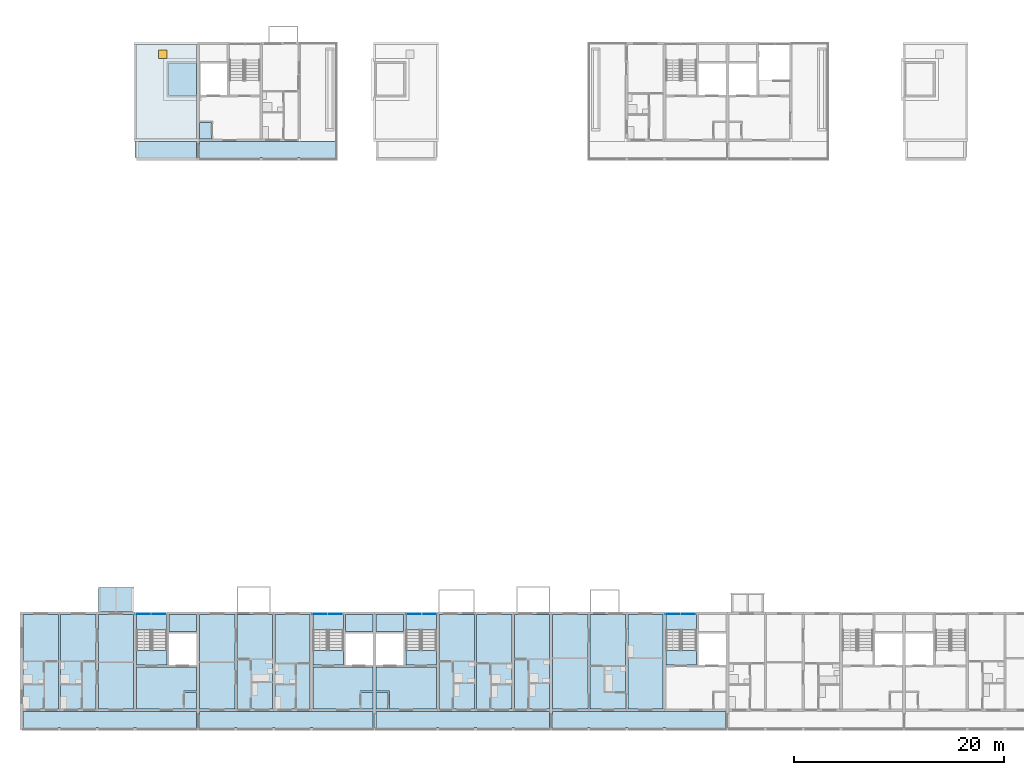
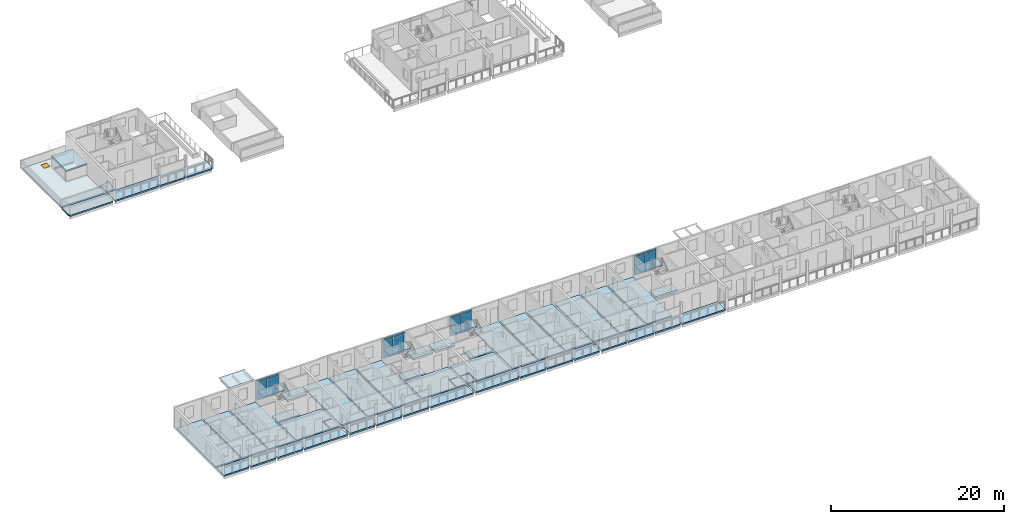
# One storey, part 30 of 87: 39 slabs, 16 plates, 1 door, 1 opening, 8 elements without a shape of their own.
"""IFC4 building model written with IfcOpenShell, lengths in metres."""

from ifc_helpers import new_model, si_unit, direction, frame, origin, origin_2d, place, context, subcontext, project, spatial, polyline, rectangle, outline, extrude, material, layer, layer_set, type_object, element, fill, aggregate, save


model = new_model("IFC4")

# Units and contexts
model_context = context("Model", 3, precision=1e-05, world=origin(), true_north=direction((0.0, 1.0)))
body_context = subcontext(model_context, "Body", "Model", "MODEL_VIEW")
ifc_project = project(units=[si_unit("LENGTHUNIT", "METRE"), si_unit("AREAUNIT", "SQUARE_METRE"), si_unit("VOLUMEUNIT", "CUBIC_METRE"), si_unit("PLANEANGLEUNIT", "RADIAN"), si_unit("MASSUNIT", "GRAM", prefix="KILO")], contexts=[model_context])

# Site, building, storey
site_placement = place(None, origin())
site = spatial("IfcSite", under=ifc_project, at=site_placement, CompositionType="ELEMENT")
building_placement = place(site_placement, origin())
building = spatial("IfcBuilding", under=site, at=building_placement, Name="Ridgestep Commons", CompositionType="ELEMENT")
storey_placement = place(building_placement, frame((0.0, 0.0, 27.0)))
storey = spatial("IfcBuildingStorey", under=building, at=storey_placement, Name="L09", CompositionType="ELEMENT", Elevation=27.0)

# Slabs
ifc_material_1 = material(Name="Precast concrete C40/50", Category="concrete")
ifc_layer_1 = layer(ifc_material_1, 0.199951171875)
ifc_layer_set_1 = layer_set([ifc_layer_1], Name="Gallery roof slab 200")
slab_type_1 = type_object("IfcSlabType", Name="Gallery roof slab 200", PredefinedType="ROOF", material=ifc_layer_set_1)
slab_1_placement = place(storey_placement, frame((0.0, 0.0, -0.199951171875)))
element("IfcSlab", 1, at=slab_1_placement, inside=storey, type_object=slab_type_1, Name="Gallery slab B1 L09", PredefinedType="ROOF", context=body_context, shape_type="SweptSolid", body=[
    extrude(outline(polyline([(22.800048828125, 67.800048828125), (22.800048828125, 66.25), (22.925048828125, 66.25), (22.925048828125, 66.0), (28.64990234375, 66.0), (28.64990234375, 67.800048828125), (22.800048828125, 67.800048828125)])), origin(), (0.0, 0.0, 1.0), 0.199951171875),
])
ifc_material_2 = material(Name="Precast concrete C40/50", Category="concrete")
ifc_layer_2 = layer(ifc_material_2, 0.199951171875)
ifc_layer_set_2 = layer_set([ifc_layer_2], Name="Gallery slab 200")
slab_type_2 = type_object("IfcSlabType", Name="Gallery slab 200", PredefinedType="FLOOR", material=ifc_layer_set_2)
slab_2_placement = place(storey_placement, frame((0.0, 0.0, -0.199951171875)))
element("IfcSlab", 2, at=slab_2_placement, inside=storey, type_object=slab_type_2, Name="Gallery slab A1 L09", PredefinedType="FLOOR", context=body_context, shape_type="SweptSolid", body=[
    extrude(outline(polyline([(28.64990234375, 13.550048828125), (12.14990234375, 13.550048828125), (12.14990234375, 11.75), (15.47509765625, 11.75), (15.47509765625, 12.0), (15.72509765625, 12.0), (15.72509765625, 11.75), (19.074951171875, 11.75), (19.074951171875, 12.0), (19.324951171875, 12.0), (19.324951171875, 11.75), (22.675048828125, 11.75), (22.675048828125, 12.0), (22.925048828125, 12.0), (22.925048828125, 11.75), (28.64990234375, 11.75), (28.64990234375, 13.550048828125)])), origin(), (0.0, 0.0, 1.0), 0.199951171875),
])
slab_3_placement = place(storey_placement, frame((0.0, 0.0, -0.199951171875)))
element("IfcSlab", 3, at=slab_3_placement, inside=storey, type_object=slab_type_2, Name="Gallery slab A2 L09", PredefinedType="FLOOR", context=body_context, shape_type="SweptSolid", body=[
    extrude(outline(polyline([(45.449951171875, 13.550048828125), (28.949951171875, 13.550048828125), (28.949951171875, 11.75), (32.27490234375, 11.75), (32.27490234375, 12.0), (32.52490234375, 12.0), (32.52490234375, 11.75), (35.875, 11.75), (35.875, 12.0), (36.125, 12.0), (36.125, 11.75), (39.47509765625, 11.75), (39.47509765625, 12.0), (39.72509765625, 12.0), (39.72509765625, 11.75), (45.449951171875, 11.75), (45.449951171875, 13.550048828125)])), origin(), (0.0, 0.0, 1.0), 0.199951171875),
])
slab_4_placement = place(storey_placement, frame((0.0, 0.0, -0.199951171875)))
element("IfcSlab", 4, at=slab_4_placement, inside=storey, type_object=slab_type_2, Name="Gallery slab A3 L09", PredefinedType="FLOOR", context=body_context, shape_type="SweptSolid", body=[
    extrude(outline(polyline([(62.25, 13.550048828125), (45.75, 13.550048828125), (45.75, 11.75), (51.47509765625, 11.75), (51.47509765625, 12.0), (51.72509765625, 12.0), (51.72509765625, 11.75), (55.074951171875, 11.75), (55.074951171875, 12.0), (55.324951171875, 12.0), (55.324951171875, 11.75), (58.675048828125, 11.75), (58.675048828125, 12.0), (58.925048828125, 12.0), (58.925048828125, 11.75), (62.25, 11.75), (62.25, 13.550048828125)])), origin(), (0.0, 0.0, 1.0), 0.199951171875),
])
slab_5_placement = place(storey_placement, frame((0.0, 0.0, -0.199951171875)))
element("IfcSlab", 5, at=slab_5_placement, inside=storey, type_object=slab_type_2, Name="Gallery slab A4 L09", PredefinedType="FLOOR", context=body_context, shape_type="SweptSolid", body=[
    extrude(outline(polyline([(79.050048828125, 13.550048828125), (62.550048828125, 13.550048828125), (62.550048828125, 11.75), (65.875, 11.75), (65.875, 12.0), (66.125, 12.0), (66.125, 11.75), (69.47509765625, 11.75), (69.47509765625, 12.0), (69.72509765625, 12.0), (69.72509765625, 11.75), (73.074951171875, 11.75), (73.074951171875, 12.0), (73.324951171875, 12.0), (73.324951171875, 11.75), (79.050048828125, 11.75), (79.050048828125, 13.550048828125)])), origin(), (0.0, 0.0, 1.0), 0.199951171875),
])
slab_6_placement = place(storey_placement, frame((0.0, 0.0, -0.199951171875)))
element("IfcSlab", 6, at=slab_6_placement, inside=storey, type_object=slab_type_2, Name="Gallery slab B2 L09", PredefinedType="FLOOR", context=body_context, shape_type="SweptSolid", body=[
    extrude(outline(polyline([(42.0, 67.800048828125), (28.949951171875, 67.800048828125), (28.949951171875, 66.0), (34.675048828125, 66.0), (34.675048828125, 66.25), (34.925048828125, 66.25), (34.925048828125, 66.0), (38.27490234375, 66.0), (38.27490234375, 66.25), (38.52490234375, 66.25), (38.52490234375, 66.0), (41.875, 66.0), (41.875, 66.25), (42.0, 66.25), (42.0, 67.800048828125)])), origin(), (0.0, 0.0, 1.0), 0.199951171875),
])

# Curtain wall, plates
ifc_material_3 = material(Name="Aluminium 6063-T6 and glass", Category="aluminium")
curtain_wall_type = type_object("IfcCurtainWallType", Name="Curtain wall stair strip", PredefinedType="NOTDEFINED", material=ifc_material_3)
curtain_wall_1_placement = place(storey_placement, origin())
curtain_wall_1 = element("IfcCurtainWall", 7, at=curtain_wall_1_placement, inside=storey, type_object=curtain_wall_type, Name="Curtain wall A1C level 09", PredefinedType="NOTDEFINED")
ifc_material_4 = material(Name="Glass laminated 6/16/6 low-emissivity", Category="glass")
ifc_layer_3 = layer(ifc_material_4, 0.028076171875)
ifc_layer_set_3 = layer_set([ifc_layer_3], Name="Glazing panel 28")
plate_type_1 = type_object("IfcPlateType", Name="Glazing panel 28", PredefinedType="CURTAIN_PANEL", material=ifc_layer_set_3)
plate_1_placement = place(storey_placement, frame((23.5712890625, 22.830078125, 0.06005859375), z_axis=(0.0, 0.0, 1.0), x_axis=(1.0, 0.0, 0.0)))
plate_1 = element("IfcPlate", 8, at=plate_1_placement, type_object=plate_type_1, Name="CW1 panel 1.1", PredefinedType="CURTAIN_PANEL", context=body_context, shape_type="SweptSolid", body=[
    extrude(rectangle(XDim=1.422607421875, YDim=0.028076171875, at=origin_2d()), origin(), (0.0, 0.0, 1.0), 2.5),
])
plate_2_placement = place(storey_placement, frame((25.0537109375, 22.830078125, 0.06005859375), z_axis=(0.0, 0.0, 1.0), x_axis=(1.0, 0.0, 0.0)))
plate_2 = element("IfcPlate", 9, at=plate_2_placement, type_object=plate_type_1, Name="CW1 panel 2.1", PredefinedType="CURTAIN_PANEL", context=body_context, shape_type="SweptSolid", body=[
    extrude(rectangle(XDim=1.422607421875, YDim=0.028076171875, at=origin_2d()), origin(), (0.0, 0.0, 1.0), 2.5),
])

curtain_wall_2_placement = place(storey_placement, origin())
curtain_wall_2 = element("IfcCurtainWall", 10, at=curtain_wall_2_placement, inside=storey, type_object=curtain_wall_type, Name="Curtain wall A2C level 09", PredefinedType="NOTDEFINED")
plate_3_placement = place(storey_placement, frame((40.371337890625, 22.830078125, 0.06005859375), z_axis=(0.0, 0.0, 1.0), x_axis=(1.0, 0.0, 0.0)))
plate_3 = element("IfcPlate", 11, at=plate_3_placement, type_object=plate_type_1, Name="CW1 panel 1.1", PredefinedType="CURTAIN_PANEL", context=body_context, shape_type="SweptSolid", body=[
    extrude(rectangle(XDim=1.422607421875, YDim=0.028076171875, at=origin_2d()), origin(), (0.0, 0.0, 1.0), 2.5),
])
plate_4_placement = place(storey_placement, frame((41.853759765625, 22.830078125, 0.06005859375), z_axis=(0.0, 0.0, 1.0), x_axis=(1.0, 0.0, 0.0)))
plate_4 = element("IfcPlate", 12, at=plate_4_placement, type_object=plate_type_1, Name="CW1 panel 2.1", PredefinedType="CURTAIN_PANEL", context=body_context, shape_type="SweptSolid", body=[
    extrude(rectangle(XDim=1.422607421875, YDim=0.028076171875, at=origin_2d()), origin(), (0.0, 0.0, 1.0), 2.5),
])

curtain_wall_3_placement = place(storey_placement, origin())
curtain_wall_3 = element("IfcCurtainWall", 13, at=curtain_wall_3_placement, inside=storey, type_object=curtain_wall_type, Name="Curtain wall A3C level 09", PredefinedType="NOTDEFINED")
plate_5_placement = place(storey_placement, frame((49.34619140625, 22.830078125, 0.06005859375), z_axis=(0.0, 0.0, 1.0), x_axis=(1.0, 0.0, 0.0)))
plate_5 = element("IfcPlate", 14, at=plate_5_placement, type_object=plate_type_1, Name="CW1 panel 1.1", PredefinedType="CURTAIN_PANEL", context=body_context, shape_type="SweptSolid", body=[
    extrude(rectangle(XDim=1.422607421875, YDim=0.028076171875, at=origin_2d()), origin(), (0.0, 0.0, 1.0), 2.5),
])
plate_6_placement = place(storey_placement, frame((50.828857421875, 22.830078125, 0.06005859375), z_axis=(0.0, 0.0, 1.0), x_axis=(1.0, 0.0, 0.0)))
plate_6 = element("IfcPlate", 15, at=plate_6_placement, type_object=plate_type_1, Name="CW1 panel 2.1", PredefinedType="CURTAIN_PANEL", context=body_context, shape_type="SweptSolid", body=[
    extrude(rectangle(XDim=1.422607421875, YDim=0.028076171875, at=origin_2d()), origin(), (0.0, 0.0, 1.0), 2.5),
])

curtain_wall_4_placement = place(storey_placement, origin())
curtain_wall_4 = element("IfcCurtainWall", 16, at=curtain_wall_4_placement, inside=storey, type_object=curtain_wall_type, Name="Curtain wall A4C level 09", PredefinedType="NOTDEFINED")
plate_7_placement = place(storey_placement, frame((73.97119140625, 22.830078125, 0.06005859375), z_axis=(0.0, 0.0, 1.0), x_axis=(1.0, 0.0, 0.0)))
plate_7 = element("IfcPlate", 17, at=plate_7_placement, type_object=plate_type_1, Name="CW1 panel 1.1", PredefinedType="CURTAIN_PANEL", context=body_context, shape_type="SweptSolid", body=[
    extrude(rectangle(XDim=1.422607421875, YDim=0.028076171875, at=origin_2d()), origin(), (0.0, 0.0, 1.0), 2.5),
])
plate_8_placement = place(storey_placement, frame((75.453857421875, 22.830078125, 0.06005859375), z_axis=(0.0, 0.0, 1.0), x_axis=(1.0, 0.0, 0.0)))
plate_8 = element("IfcPlate", 18, at=plate_8_placement, type_object=plate_type_1, Name="CW1 panel 2.1", PredefinedType="CURTAIN_PANEL", context=body_context, shape_type="SweptSolid", body=[
    extrude(rectangle(XDim=1.422607421875, YDim=0.028076171875, at=origin_2d()), origin(), (0.0, 0.0, 1.0), 2.5),
])

# Slabs
ifc_material_5 = material(Name="Precast concrete C50/60", Category="concrete")
ifc_layer_4 = layer(ifc_material_5, 0.199951171875)
ifc_layer_set_4 = layer_set([ifc_layer_4], Name="Hollow-core plank 200")
slab_type_3 = type_object("IfcSlabType", Name="Hollow-core plank 200", PredefinedType="FLOOR", material=ifc_layer_set_4)
slab_7_placement = place(storey_placement, frame((0.0, 0.0, -0.199951171875)))
element("IfcSlab", 19, at=slab_7_placement, inside=storey, type_object=slab_type_3, Name="Floor plank A1T1 L09", PredefinedType="FLOOR", context=body_context, shape_type="SweptSolid", body=[
    extrude(outline(polyline([(15.5, 13.75), (15.5, 22.75), (12.14990234375, 22.75), (12.14990234375, 13.75), (15.5, 13.75)])), origin(), (0.0, 0.0, 1.0), 0.199951171875),
])
slab_8_placement = place(storey_placement, frame((0.0, 0.0, -0.199951171875)))
element("IfcSlab", 20, at=slab_8_placement, inside=storey, type_object=slab_type_3, Name="Floor plank A1T2 L09", PredefinedType="FLOOR", context=body_context, shape_type="SweptSolid", body=[
    extrude(outline(polyline([(19.10009765625, 13.75), (19.10009765625, 22.75), (15.699951171875, 22.75), (15.699951171875, 13.75), (19.10009765625, 13.75)])), origin(), (0.0, 0.0, 1.0), 0.199951171875),
])
slab_9_placement = place(storey_placement, frame((0.0, 0.0, -0.199951171875)))
element("IfcSlab", 21, at=slab_9_placement, inside=storey, type_object=slab_type_3, Name="Floor plank A1T3 L09", PredefinedType="FLOOR", context=body_context, shape_type="SweptSolid", body=[
    extrude(outline(polyline([(22.675048828125, 13.75), (22.675048828125, 22.75), (19.300048828125, 22.75), (19.300048828125, 13.75), (22.675048828125, 13.75)])), origin(), (0.0, 0.0, 1.0), 0.199951171875),
])
slab_10_placement = place(storey_placement, frame((0.0, 0.0, -0.199951171875)))
element("IfcSlab", 22, at=slab_10_placement, inside=storey, type_object=slab_type_3, Name="Floor plank A2T1 L09", PredefinedType="FLOOR", context=body_context, shape_type="SweptSolid", body=[
    extrude(outline(polyline([(32.300048828125, 13.75), (32.300048828125, 22.75), (28.949951171875, 22.75), (28.949951171875, 13.75), (32.300048828125, 13.75)])), origin(), (0.0, 0.0, 1.0), 0.199951171875),
])
slab_11_placement = place(storey_placement, frame((0.0, 0.0, -0.199951171875)))
element("IfcSlab", 23, at=slab_11_placement, inside=storey, type_object=slab_type_3, Name="Floor plank A2T2 L09", PredefinedType="FLOOR", context=body_context, shape_type="SweptSolid", body=[
    extrude(outline(polyline([(35.89990234375, 13.75), (35.89990234375, 22.75), (32.5, 22.75), (32.5, 13.75), (35.89990234375, 13.75)])), origin(), (0.0, 0.0, 1.0), 0.199951171875),
])
slab_12_placement = place(storey_placement, frame((0.0, 0.0, -0.199951171875)))
element("IfcSlab", 24, at=slab_12_placement, inside=storey, type_object=slab_type_3, Name="Floor plank A2T3 L09", PredefinedType="FLOOR", context=body_context, shape_type="SweptSolid", body=[
    extrude(outline(polyline([(39.47509765625, 13.75), (39.47509765625, 22.75), (36.10009765625, 22.75), (36.10009765625, 13.75), (39.47509765625, 13.75)])), origin(), (0.0, 0.0, 1.0), 0.199951171875),
])
slab_13_placement = place(storey_placement, frame((0.0, 0.0, -0.199951171875)))
element("IfcSlab", 25, at=slab_13_placement, inside=storey, type_object=slab_type_3, Name="Floor plank A3T3 L09", PredefinedType="FLOOR", context=body_context, shape_type="SweptSolid", body=[
    extrude(outline(polyline([(55.10009765625, 13.75), (55.10009765625, 22.75), (51.72509765625, 22.75), (51.72509765625, 13.75), (55.10009765625, 13.75)])), origin(), (0.0, 0.0, 1.0), 0.199951171875),
])
slab_14_placement = place(storey_placement, frame((0.0, 0.0, -0.199951171875)))
element("IfcSlab", 26, at=slab_14_placement, inside=storey, type_object=slab_type_3, Name="Floor plank A3T2 L09", PredefinedType="FLOOR", context=body_context, shape_type="SweptSolid", body=[
    extrude(outline(polyline([(58.699951171875, 13.75), (58.699951171875, 22.75), (55.300048828125, 22.75), (55.300048828125, 13.75), (58.699951171875, 13.75)])), origin(), (0.0, 0.0, 1.0), 0.199951171875),
])
slab_15_placement = place(storey_placement, frame((0.0, 0.0, -0.199951171875)))
element("IfcSlab", 27, at=slab_15_placement, inside=storey, type_object=slab_type_3, Name="Floor plank A3T1 L09", PredefinedType="FLOOR", context=body_context, shape_type="SweptSolid", body=[
    extrude(outline(polyline([(62.25, 13.75), (62.25, 22.75), (58.89990234375, 22.75), (58.89990234375, 13.75), (62.25, 13.75)])), origin(), (0.0, 0.0, 1.0), 0.199951171875),
])
slab_16_placement = place(storey_placement, frame((0.0, 0.0, -0.199951171875)))
element("IfcSlab", 28, at=slab_16_placement, inside=storey, type_object=slab_type_3, Name="Floor plank A4T1 L09", PredefinedType="FLOOR", context=body_context, shape_type="SweptSolid", body=[
    extrude(outline(polyline([(65.89990234375, 13.75), (65.89990234375, 22.75), (62.550048828125, 22.75), (62.550048828125, 13.75), (65.89990234375, 13.75)])), origin(), (0.0, 0.0, 1.0), 0.199951171875),
])
slab_17_placement = place(storey_placement, frame((0.0, 0.0, -0.199951171875)))
element("IfcSlab", 29, at=slab_17_placement, inside=storey, type_object=slab_type_3, Name="Floor plank A4T2 L09", PredefinedType="FLOOR", context=body_context, shape_type="SweptSolid", body=[
    extrude(outline(polyline([(69.5, 13.75), (69.5, 22.75), (66.10009765625, 22.75), (66.10009765625, 13.75), (69.5, 13.75)])), origin(), (0.0, 0.0, 1.0), 0.199951171875),
])
slab_18_placement = place(storey_placement, frame((0.0, 0.0, -0.199951171875)))
element("IfcSlab", 30, at=slab_18_placement, inside=storey, type_object=slab_type_3, Name="Floor plank A4T3 L09", PredefinedType="FLOOR", context=body_context, shape_type="SweptSolid", body=[
    extrude(outline(polyline([(73.074951171875, 13.75), (73.074951171875, 22.75), (69.699951171875, 22.75), (69.699951171875, 13.75), (73.074951171875, 13.75)])), origin(), (0.0, 0.0, 1.0), 0.199951171875),
])
ifc_material_6 = material(Name="Precast concrete C50/60", Category="concrete")
ifc_layer_5 = layer(ifc_material_6, 0.25)
ifc_layer_set_5 = layer_set([ifc_layer_5], Name="Hollow-core plank 250")
slab_type_4 = type_object("IfcSlabType", Name="Hollow-core plank 250", PredefinedType="FLOOR", material=ifc_layer_set_5)
slab_19_placement = place(storey_placement, frame((0.0, 0.0, -0.25)))
element("IfcSlab", 31, at=slab_19_placement, inside=storey, type_object=slab_type_4, Name="Floor plank A1C L09", PredefinedType="FLOOR", context=body_context, shape_type="SweptSolid", body=[
    extrude(outline(polyline([(27.52001953125, 15.469970703125), (28.64990234375, 15.469970703125), (28.64990234375, 17.75), (22.925048828125, 17.75), (22.925048828125, 13.75), (27.39990234375, 13.75), (27.39990234375, 15.469970703125), (27.52001953125, 15.469970703125)])), origin(), (0.0, 0.0, 1.0), 0.25),
])
slab_20_placement = place(storey_placement, frame((0.0, 0.0, -0.25)))
element("IfcSlab", 32, at=slab_20_placement, inside=storey, type_object=slab_type_4, Name="Floor plank A1C L09", PredefinedType="FLOOR", context=body_context, shape_type="SweptSolid", body=[
    extrude(outline(polyline([(28.64990234375, 21.14990234375), (28.64990234375, 22.75), (26.02490234375, 22.75), (26.02490234375, 21.14990234375), (28.64990234375, 21.14990234375)])), origin(), (0.0, 0.0, 1.0), 0.25),
])
slab_21_placement = place(storey_placement, frame((0.0, 0.0, -0.25)))
element("IfcSlab", 33, at=slab_21_placement, inside=storey, type_object=slab_type_4, Name="Floor plank A1C L09", PredefinedType="FLOOR", context=body_context, shape_type="SweptSolid", body=[
    extrude(outline(polyline([(25.824951171875, 17.949951171875), (25.824951171875, 19.35009765625), (22.925048828125, 19.35009765625), (22.925048828125, 17.949951171875), (25.824951171875, 17.949951171875)])), origin(), (0.0, 0.0, 1.0), 0.25),
])
slab_22_placement = place(storey_placement, frame((0.0, 0.0, -0.25)))
element("IfcSlab", 34, at=slab_22_placement, inside=storey, type_object=slab_type_4, Name="Floor plank A1C L09", PredefinedType="FLOOR", context=body_context, shape_type="SweptSolid", body=[
    extrude(outline(polyline([(27.52001953125, 13.75), (28.64990234375, 13.75), (28.64990234375, 15.35009765625), (27.52001953125, 15.35009765625), (27.52001953125, 13.75)])), origin(), (0.0, 0.0, 1.0), 0.25),
])
slab_23_placement = place(storey_placement, frame((0.0, 0.0, -0.25)))
element("IfcSlab", 35, at=slab_23_placement, inside=storey, type_object=slab_type_4, Name="Floor plank A2C L09", PredefinedType="FLOOR", context=body_context, shape_type="SweptSolid", body=[
    extrude(outline(polyline([(44.320068359375, 15.469970703125), (45.449951171875, 15.469970703125), (45.449951171875, 17.75), (39.72509765625, 17.75), (39.72509765625, 13.75), (44.199951171875, 13.75), (44.199951171875, 15.469970703125), (44.320068359375, 15.469970703125)])), origin(), (0.0, 0.0, 1.0), 0.25),
])
slab_24_placement = place(storey_placement, frame((0.0, 0.0, -0.25)))
element("IfcSlab", 36, at=slab_24_placement, inside=storey, type_object=slab_type_4, Name="Floor plank A2C L09", PredefinedType="FLOOR", context=body_context, shape_type="SweptSolid", body=[
    extrude(outline(polyline([(45.449951171875, 21.14990234375), (45.449951171875, 22.75), (42.824951171875, 22.75), (42.824951171875, 21.14990234375), (45.449951171875, 21.14990234375)])), origin(), (0.0, 0.0, 1.0), 0.25),
])
slab_25_placement = place(storey_placement, frame((0.0, 0.0, -0.25)))
element("IfcSlab", 37, at=slab_25_placement, inside=storey, type_object=slab_type_4, Name="Floor plank A2C L09", PredefinedType="FLOOR", context=body_context, shape_type="SweptSolid", body=[
    extrude(outline(polyline([(42.625, 17.949951171875), (42.625, 19.35009765625), (39.72509765625, 19.35009765625), (39.72509765625, 17.949951171875), (42.625, 17.949951171875)])), origin(), (0.0, 0.0, 1.0), 0.25),
])
slab_26_placement = place(storey_placement, frame((0.0, 0.0, -0.25)))
element("IfcSlab", 38, at=slab_26_placement, inside=storey, type_object=slab_type_4, Name="Floor plank A2C L09", PredefinedType="FLOOR", context=body_context, shape_type="SweptSolid", body=[
    extrude(outline(polyline([(44.320068359375, 13.75), (45.449951171875, 13.75), (45.449951171875, 15.35009765625), (44.320068359375, 15.35009765625), (44.320068359375, 13.75)])), origin(), (0.0, 0.0, 1.0), 0.25),
])
slab_27_placement = place(storey_placement, frame((0.0, 0.0, -0.25)))
element("IfcSlab", 39, at=slab_27_placement, inside=storey, type_object=slab_type_4, Name="Floor plank A3C L09", PredefinedType="FLOOR", context=body_context, shape_type="SweptSolid", body=[
    extrude(outline(polyline([(47.0, 13.75), (51.47509765625, 13.75), (51.47509765625, 17.75), (45.75, 17.75), (45.75, 15.469970703125), (46.8798828125, 15.469970703125), (47.0, 15.469970703125), (47.0, 13.75)])), origin(), (0.0, 0.0, 1.0), 0.25),
])
slab_28_placement = place(storey_placement, frame((0.0, 0.0, -0.25)))
element("IfcSlab", 40, at=slab_28_placement, inside=storey, type_object=slab_type_4, Name="Floor plank A3C L09", PredefinedType="FLOOR", context=body_context, shape_type="SweptSolid", body=[
    extrude(outline(polyline([(48.375, 22.75), (45.75, 22.75), (45.75, 21.14990234375), (48.375, 21.14990234375), (48.375, 22.75)])), origin(), (0.0, 0.0, 1.0), 0.25),
])
slab_29_placement = place(storey_placement, frame((0.0, 0.0, -0.25)))
element("IfcSlab", 41, at=slab_29_placement, inside=storey, type_object=slab_type_4, Name="Floor plank A3C L09", PredefinedType="FLOOR", context=body_context, shape_type="SweptSolid", body=[
    extrude(outline(polyline([(51.47509765625, 17.949951171875), (51.47509765625, 19.35009765625), (48.574951171875, 19.35009765625), (48.574951171875, 17.949951171875), (51.47509765625, 17.949951171875)])), origin(), (0.0, 0.0, 1.0), 0.25),
])
slab_30_placement = place(storey_placement, frame((0.0, 0.0, -0.25)))
element("IfcSlab", 42, at=slab_30_placement, inside=storey, type_object=slab_type_4, Name="Floor plank A3C L09", PredefinedType="FLOOR", context=body_context, shape_type="SweptSolid", body=[
    extrude(outline(polyline([(46.8798828125, 15.35009765625), (45.75, 15.35009765625), (45.75, 13.75), (46.8798828125, 13.75), (46.8798828125, 15.35009765625)])), origin(), (0.0, 0.0, 1.0), 0.25),
])
slab_31_placement = place(storey_placement, frame((0.0, 0.0, -0.25)))
element("IfcSlab", 43, at=slab_31_placement, inside=storey, type_object=slab_type_4, Name="Floor plank A4C L09", PredefinedType="FLOOR", context=body_context, shape_type="SweptSolid", body=[
    extrude(outline(polyline([(76.22509765625, 17.949951171875), (76.22509765625, 19.35009765625), (73.324951171875, 19.35009765625), (73.324951171875, 17.949951171875), (76.22509765625, 17.949951171875)])), origin(), (0.0, 0.0, 1.0), 0.25),
])
slab_32_placement = place(storey_placement, frame((0.0, 0.0, -0.25)))
element("IfcSlab", 44, at=slab_32_placement, inside=storey, type_object=slab_type_4, Name="Floor plank B2C L09", PredefinedType="FLOOR", context=body_context, shape_type="SweptSolid", body=[
    extrude(outline(polyline([(30.080078125, 69.60009765625), (28.949951171875, 69.60009765625), (28.949951171875, 68.0), (30.080078125, 68.0), (30.080078125, 69.60009765625)])), origin(), (0.0, 0.0, 1.0), 0.25),
])
ifc_material_7 = material(Name="Precast concrete C50/60", Category="concrete")
ifc_layer_6 = layer(ifc_material_7, 0.199951171875)
ifc_layer_set_6 = layer_set([ifc_layer_6], Name="Overrun roof 200")
slab_type_5 = type_object("IfcSlabType", Name="Overrun roof 200", PredefinedType="ROOF", material=ifc_layer_set_6)
slab_33_placement = place(storey_placement, frame((0.0, 0.0, 1.5)))
element("IfcSlab", 45, at=slab_33_placement, inside=storey, type_object=slab_type_5, Name="Lift overrun roof B1C", PredefinedType="ROOF", context=body_context, shape_type="SweptSolid", body=[
    extrude(outline(polyline([(25.824951171875, 72.0), (28.64990234375, 72.0), (28.64990234375, 75.39990234375), (25.824951171875, 75.39990234375), (25.824951171875, 72.0)])), origin(), (0.0, 0.0, 1.0), 0.199951171875),
])

# Slab, opening, door
ifc_material_8 = material(Name="Precast concrete C50/60", Category="concrete")
ifc_layer_7 = layer(ifc_material_8, 0.25)
ifc_layer_set_7 = layer_set([ifc_layer_7], Name="Roof slab 250")
slab_type_6 = type_object("IfcSlabType", Name="Roof slab 250", PredefinedType="ROOF", material=ifc_layer_set_7)
slab_34_placement = place(storey_placement, frame((0.0, 0.0, -0.25)))
slab_34 = element("IfcSlab", 46, at=slab_34_placement, inside=storey, type_object=slab_type_6, Name="Roof slab B1C", PredefinedType="ROOF", context=body_context, shape_type="SweptSolid", body=[
    extrude(outline(polyline([(28.64990234375, 68.0), (28.64990234375, 72.199951171875), (26.02490234375, 72.199951171875), (26.02490234375, 75.199951171875), (28.64990234375, 75.199951171875), (28.64990234375, 77.0), (22.925048828125, 77.0), (22.925048828125, 68.0), (28.64990234375, 68.0)])), origin(), (0.0, 0.0, 1.0), 0.25),
])
opening_placement = place(slab_34_placement, frame((25.425048828125, 76.10009765625, 0.0)))
opening = element("IfcOpeningElement", 47, at=opening_placement, cuts=slab_34, Name="Opening B1C/RF/1", PredefinedType="OPENING", context=body_context, shape_type="SweptSolid", body=[
    extrude(rectangle(XDim=0.800048828125, YDim=0.800048828125, at=origin_2d()), origin(), (0.0, 0.0, 1.0), 0.25),
])
ifc_material_9 = material(Name="Steel", Category="steel")
door_type = type_object("IfcDoorType", Name="Ladder roof hatch 800 x 800", OperationType="SINGLE_SWING_LEFT", PredefinedType="TRAPDOOR", material=ifc_material_9)
door_placement = place(opening_placement, frame((0.0, 0.0, 0.199951171875)))
door = element("IfcDoor", 48, at=door_placement, inside=storey, type_object=door_type, Name="Roof hatch B1C", OperationType="SINGLE_SWING_LEFT", OverallHeight=0.800048828125, OverallWidth=0.800048828125, PredefinedType="TRAPDOOR", context=body_context, shape_type="SweptSolid", body=[
    extrude(rectangle(XDim=0.800048828125, YDim=0.800048828125, at=origin_2d()), origin(), (0.0, 0.0, 1.0), 0.050048828125),
])
fill(opening, door)

# Plate
ifc_material_10 = material(Name="Aluminium 6063-T6 and mineral wool", Category="aluminium")
ifc_layer_8 = layer(ifc_material_10, 0.0400390625)
ifc_layer_set_8 = layer_set([ifc_layer_8], Name="Spandrel panel 40")
plate_type_2 = type_object("IfcPlateType", Name="Spandrel panel 40", PredefinedType="CURTAIN_PANEL", material=ifc_layer_set_8)
plate_9_placement = place(storey_placement, frame((23.5712890625, 22.830078125, 2.6201171875), z_axis=(0.0, 0.0, 1.0), x_axis=(1.0, 0.0, 0.0)))
plate_9 = element("IfcPlate", 49, at=plate_9_placement, type_object=plate_type_2, Name="CW1 panel 1.2", PredefinedType="CURTAIN_PANEL", context=body_context, shape_type="SweptSolid", body=[
    extrude(rectangle(XDim=1.422607421875, YDim=0.0400390625, at=origin_2d()), origin(), (0.0, 0.0, 1.0), 0.320068359375),
])

plate_10_placement = place(storey_placement, frame((25.0537109375, 22.830078125, 2.6201171875), z_axis=(0.0, 0.0, 1.0), x_axis=(1.0, 0.0, 0.0)))
plate_10 = element("IfcPlate", 50, at=plate_10_placement, type_object=plate_type_2, Name="CW1 panel 2.2", PredefinedType="CURTAIN_PANEL", context=body_context, shape_type="SweptSolid", body=[
    extrude(rectangle(XDim=1.422607421875, YDim=0.0400390625, at=origin_2d()), origin(), (0.0, 0.0, 1.0), 0.320068359375),
])

aggregate(curtain_wall_1, [plate_1, plate_9, plate_2, plate_10])

plate_11_placement = place(storey_placement, frame((40.371337890625, 22.830078125, 2.6201171875), z_axis=(0.0, 0.0, 1.0), x_axis=(1.0, 0.0, 0.0)))
plate_11 = element("IfcPlate", 51, at=plate_11_placement, type_object=plate_type_2, Name="CW1 panel 1.2", PredefinedType="CURTAIN_PANEL", context=body_context, shape_type="SweptSolid", body=[
    extrude(rectangle(XDim=1.422607421875, YDim=0.0400390625, at=origin_2d()), origin(), (0.0, 0.0, 1.0), 0.320068359375),
])

plate_12_placement = place(storey_placement, frame((41.853759765625, 22.830078125, 2.6201171875), z_axis=(0.0, 0.0, 1.0), x_axis=(1.0, 0.0, 0.0)))
plate_12 = element("IfcPlate", 52, at=plate_12_placement, type_object=plate_type_2, Name="CW1 panel 2.2", PredefinedType="CURTAIN_PANEL", context=body_context, shape_type="SweptSolid", body=[
    extrude(rectangle(XDim=1.422607421875, YDim=0.0400390625, at=origin_2d()), origin(), (0.0, 0.0, 1.0), 0.320068359375),
])

aggregate(curtain_wall_2, [plate_3, plate_11, plate_4, plate_12])

plate_13_placement = place(storey_placement, frame((49.34619140625, 22.830078125, 2.6201171875), z_axis=(0.0, 0.0, 1.0), x_axis=(1.0, 0.0, 0.0)))
plate_13 = element("IfcPlate", 53, at=plate_13_placement, type_object=plate_type_2, Name="CW1 panel 1.2", PredefinedType="CURTAIN_PANEL", context=body_context, shape_type="SweptSolid", body=[
    extrude(rectangle(XDim=1.422607421875, YDim=0.0400390625, at=origin_2d()), origin(), (0.0, 0.0, 1.0), 0.320068359375),
])

plate_14_placement = place(storey_placement, frame((50.828857421875, 22.830078125, 2.6201171875), z_axis=(0.0, 0.0, 1.0), x_axis=(1.0, 0.0, 0.0)))
plate_14 = element("IfcPlate", 54, at=plate_14_placement, type_object=plate_type_2, Name="CW1 panel 2.2", PredefinedType="CURTAIN_PANEL", context=body_context, shape_type="SweptSolid", body=[
    extrude(rectangle(XDim=1.422607421875, YDim=0.0400390625, at=origin_2d()), origin(), (0.0, 0.0, 1.0), 0.320068359375),
])

aggregate(curtain_wall_3, [plate_5, plate_13, plate_6, plate_14])

plate_15_placement = place(storey_placement, frame((73.97119140625, 22.830078125, 2.6201171875), z_axis=(0.0, 0.0, 1.0), x_axis=(1.0, 0.0, 0.0)))
plate_15 = element("IfcPlate", 55, at=plate_15_placement, type_object=plate_type_2, Name="CW1 panel 1.2", PredefinedType="CURTAIN_PANEL", context=body_context, shape_type="SweptSolid", body=[
    extrude(rectangle(XDim=1.422607421875, YDim=0.0400390625, at=origin_2d()), origin(), (0.0, 0.0, 1.0), 0.320068359375),
])

plate_16_placement = place(storey_placement, frame((75.453857421875, 22.830078125, 2.6201171875), z_axis=(0.0, 0.0, 1.0), x_axis=(1.0, 0.0, 0.0)))
plate_16 = element("IfcPlate", 56, at=plate_16_placement, type_object=plate_type_2, Name="CW1 panel 2.2", PredefinedType="CURTAIN_PANEL", context=body_context, shape_type="SweptSolid", body=[
    extrude(rectangle(XDim=1.422607421875, YDim=0.0400390625, at=origin_2d()), origin(), (0.0, 0.0, 1.0), 0.320068359375),
])

aggregate(curtain_wall_4, [plate_7, plate_15, plate_8, plate_16])

# Stair, slab
ifc_material_11 = material(Name="Precast concrete C40/50", Category="concrete")
stair_type = type_object("IfcStairType", Name="Escape stair 1400", PredefinedType="HALF_TURN_STAIR", material=ifc_material_11)
stair_1_placement = place(storey_placement, origin())
stair_1 = element("IfcStair", 57, at=stair_1_placement, inside=storey, type_object=stair_type, Name="L09 Escape stair A1C", PredefinedType="HALF_TURN_STAIR")
ifc_material_12 = material(Name="Precast concrete C40/50", Category="concrete")
ifc_layer_9 = layer(ifc_material_12, 0.199951171875)
ifc_layer_set_9 = layer_set([ifc_layer_9], Name="Stair landing 200")
slab_type_7 = type_object("IfcSlabType", Name="Stair landing 200", PredefinedType="LANDING", material=ifc_layer_set_9)
slab_35_placement = place(storey_placement, frame((0.0, 0.0, 1.300048828125)))
slab_35 = element("IfcSlab", 58, at=slab_35_placement, type_object=slab_type_7, Name="A1C landing 1", PredefinedType="LANDING", context=body_context, shape_type="SweptSolid", body=[
    extrude(outline(polyline([(25.824951171875, 21.31005859375), (25.824951171875, 22.75), (22.925048828125, 22.75), (22.925048828125, 21.31005859375), (25.824951171875, 21.31005859375)])), origin(), (0.0, 0.0, 1.0), 0.199951171875),
])
aggregate(stair_1, [slab_35])

stair_2_placement = place(storey_placement, origin())
stair_2 = element("IfcStair", 59, at=stair_2_placement, inside=storey, type_object=stair_type, Name="L09 Escape stair A2C", PredefinedType="HALF_TURN_STAIR")
slab_36_placement = place(storey_placement, frame((0.0, 0.0, 1.300048828125)))
slab_36 = element("IfcSlab", 60, at=slab_36_placement, type_object=slab_type_7, Name="A2C landing 1", PredefinedType="LANDING", context=body_context, shape_type="SweptSolid", body=[
    extrude(outline(polyline([(42.625, 21.31005859375), (42.625, 22.75), (39.72509765625, 22.75), (39.72509765625, 21.31005859375), (42.625, 21.31005859375)])), origin(), (0.0, 0.0, 1.0), 0.199951171875),
])
aggregate(stair_2, [slab_36])

stair_3_placement = place(storey_placement, origin())
stair_3 = element("IfcStair", 61, at=stair_3_placement, inside=storey, type_object=stair_type, Name="L09 Escape stair A3C", PredefinedType="HALF_TURN_STAIR")
slab_37_placement = place(storey_placement, frame((0.0, 0.0, 1.300048828125)))
slab_37 = element("IfcSlab", 62, at=slab_37_placement, type_object=slab_type_7, Name="A3C landing 1", PredefinedType="LANDING", context=body_context, shape_type="SweptSolid", body=[
    extrude(outline(polyline([(51.47509765625, 21.31005859375), (51.47509765625, 22.75), (48.574951171875, 22.75), (48.574951171875, 21.31005859375), (51.47509765625, 21.31005859375)])), origin(), (0.0, 0.0, 1.0), 0.199951171875),
])
aggregate(stair_3, [slab_37])

stair_4_placement = place(storey_placement, origin())
stair_4 = element("IfcStair", 63, at=stair_4_placement, inside=storey, type_object=stair_type, Name="L09 Escape stair A4C", PredefinedType="HALF_TURN_STAIR")
slab_38_placement = place(storey_placement, frame((0.0, 0.0, 1.300048828125)))
slab_38 = element("IfcSlab", 64, at=slab_38_placement, type_object=slab_type_7, Name="A4C landing 1", PredefinedType="LANDING", context=body_context, shape_type="SweptSolid", body=[
    extrude(outline(polyline([(76.22509765625, 21.31005859375), (76.22509765625, 22.75), (73.324951171875, 22.75), (73.324951171875, 21.31005859375), (76.22509765625, 21.31005859375)])), origin(), (0.0, 0.0, 1.0), 0.199951171875),
])
aggregate(stair_4, [slab_38])

# Slab
ifc_material_13 = material(Name="Weathering steel S355J2W", Category="steel")
ifc_layer_10 = layer(ifc_material_13, 0.010009765625)
ifc_layer_set_10 = layer_set([ifc_layer_10], Name="Tray 3.4 x 2.4")
slab_type_8 = type_object("IfcSlabType", Name="Tray 3.4 x 2.4", PredefinedType="FLOOR", material=ifc_layer_set_10)
slab_39_placement = place(storey_placement, frame((0.0, 0.0, 2.989990234375)))
element("IfcSlab", 65, at=slab_39_placement, inside=storey, type_object=slab_type_8, Name="Tray deck A1T3-10", PredefinedType="FLOOR", context=body_context, shape_type="SweptSolid", body=[
    extrude(outline(polyline([(19.330078125, 23.0), (22.669921875, 23.0), (22.669921875, 25.39990234375), (19.330078125, 25.39990234375), (19.330078125, 23.0)])), origin(), (0.0, 0.0, 1.0), 0.010009765625),
])

save(model, "model.ifc")
